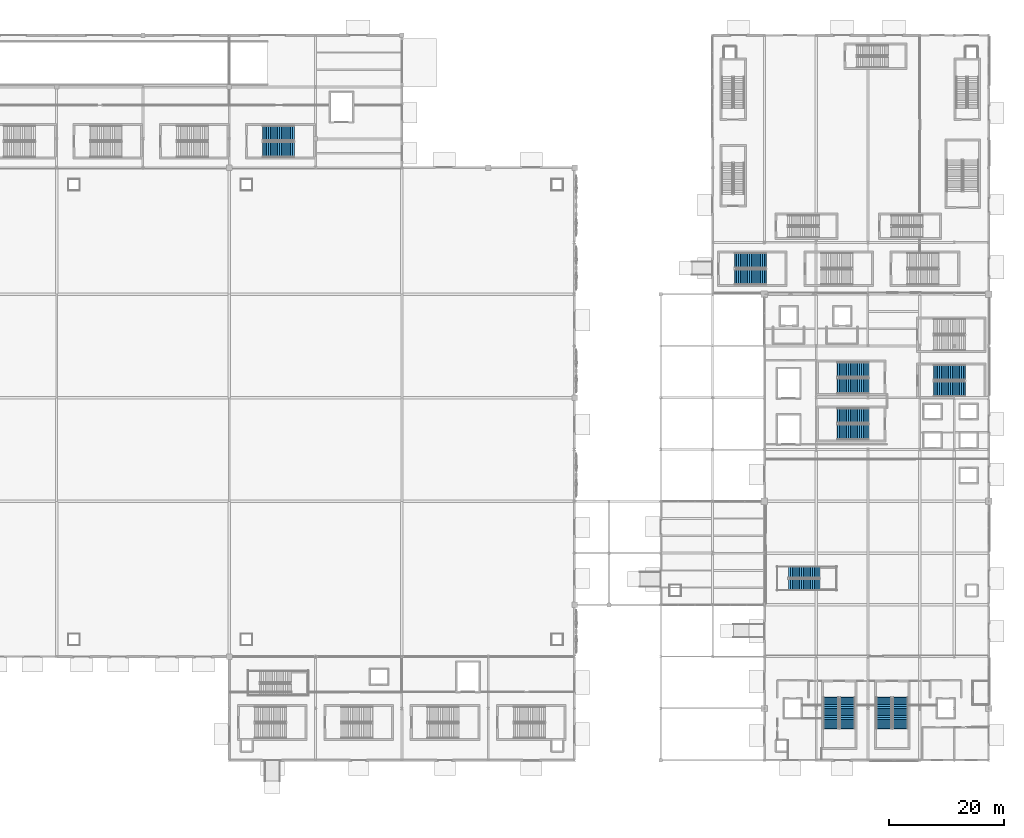
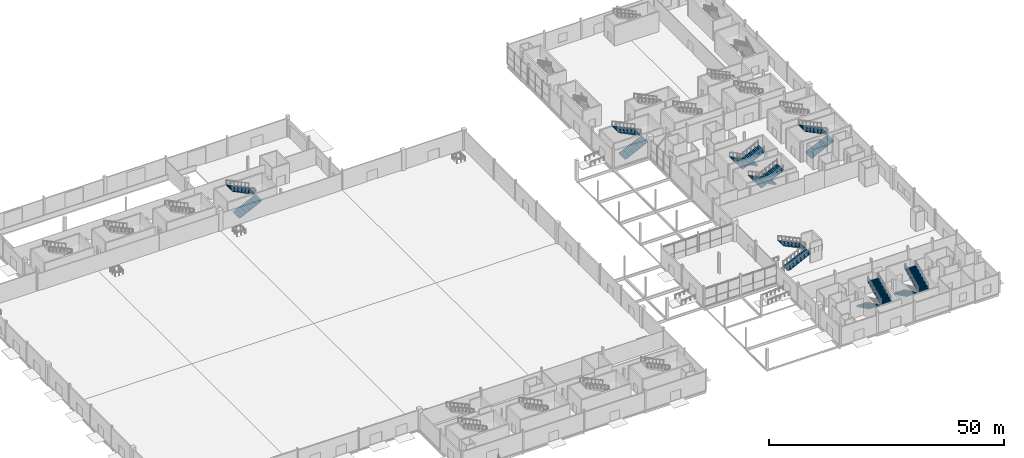
# One storey, part 66 of 94: 16 stair flights, 8 elements without a shape of their own.
"""IFC4 building model written with IfcOpenShell, lengths in metres."""

from ifc_helpers import new_model, si_unit, direction, frame, origin, place, context, subcontext, project, spatial, polyline, outline, extrude, material, type_object, element, aggregate, save


model = new_model("IFC4")

# Units and contexts
model_context = context("Model", 3, precision=1e-05, world=origin(), true_north=direction((0.0, 1.0)))
body_context = subcontext(model_context, "Body", "Model", "MODEL_VIEW")
ifc_project = project(units=[si_unit("LENGTHUNIT", "METRE"), si_unit("AREAUNIT", "SQUARE_METRE"), si_unit("VOLUMEUNIT", "CUBIC_METRE"), si_unit("PLANEANGLEUNIT", "RADIAN"), si_unit("MASSUNIT", "GRAM", prefix="KILO")], contexts=[model_context])

# Site, building, storey
site_placement = place(None, origin())
site = spatial("IfcSite", under=ifc_project, at=site_placement, CompositionType="ELEMENT")
building_placement = place(site_placement, origin())
building = spatial("IfcBuilding", under=site, at=building_placement, Name="Qamarlyn Nura Convention Centre", CompositionType="ELEMENT")
storey_placement = place(building_placement, origin())
storey = spatial("IfcBuildingStorey", under=building, at=storey_placement, Name="L00", CompositionType="ELEMENT", Elevation=0.0)

# Stair, stair flights
ifc_material = material(Name="Concrete C40/50", Category="concrete")
stair_type_1 = type_object("IfcStairType", Name="STAIR-EXIT-54", PredefinedType="HALF_TURN_STAIR", material=ifc_material)
stair_1_placement = place(storey_placement, origin())
stair_1 = element("IfcStair", 1, at=stair_1_placement, inside=storey, type_object=stair_type_1, Name="L00 Enclosed exit stair ST-04", PredefinedType="HALF_TURN_STAIR")
stair_flight_type_1 = type_object("IfcStairFlightType", Name="FLIGHT-EXIT-54", PredefinedType="STRAIGHT", material=ifc_material)
stair_flight_1_placement = place(storey_placement, frame((65.860107421875, 106.1298828125, 0.0), z_axis=(0.0, 0.0, 1.0), x_axis=(1.0, 0.0, 0.0)))
stair_flight_1 = element("IfcStairFlight", 2, at=stair_flight_1_placement, type_object=stair_flight_type_1, Name="ST-04 flight 1", NumberOfRisers=18, NumberOfTreads=17, PredefinedType="STRAIGHT", RiserHeight=0.15, TreadLength=0.32, context=body_context, shape_type="SweptSolid", body=[
    extrude(outline(polyline([(-0.054931640625, 0.0), (0.0, 0.0), (0.0, 0.14990234375), (0.320068359375, 0.14990234375), (0.320068359375, 0.300048828125), (0.639892578125, 0.300048828125), (0.639892578125, 0.449951171875), (0.9599609375, 0.449951171875), (0.9599609375, 0.60009765625), (1.280029296875, 0.60009765625), (1.280029296875, 0.75), (1.60009765625, 0.75), (1.60009765625, 0.89990234375), (1.919921875, 0.89990234375), (1.919921875, 1.050048828125), (2.239990234375, 1.050048828125), (2.239990234375, 1.199951171875), (2.56005859375, 1.199951171875), (2.56005859375, 1.35009765625), (2.8798828125, 1.35009765625), (2.8798828125, 1.5), (3.199951171875, 1.5), (3.199951171875, 1.64990234375), (3.52001953125, 1.64990234375), (3.52001953125, 1.800048828125), (3.840087890625, 1.800048828125), (3.840087890625, 1.949951171875), (4.159912109375, 1.949951171875), (4.159912109375, 2.10009765625), (4.47998046875, 2.10009765625), (4.47998046875, 2.25), (4.800048828125, 2.25), (4.800048828125, 2.39990234375), (5.1201171875, 2.39990234375), (5.1201171875, 2.550048828125), (5.43994140625, 2.550048828125), (5.43994140625, 2.699951171875), (5.494873046875, 2.699951171875), (5.494873046875, 2.56005859375), (5.43994140625, 2.384521484375), (0.353271484375, -0.139892578125), (-0.054931640625, -0.139892578125), (-0.054931640625, 0.0)])), frame((0.0, 1.330078125, 0.0), z_axis=(0.0, -1.0, 0.0), x_axis=(1.0, 0.0, 0.0)), (0.0, 0.0, 1.0), 2.659912109375),
])
stair_flight_2_placement = place(storey_placement, frame((71.300048828125, 108.969970703125, 2.699951171875), z_axis=(0.0, 0.0, 1.0), x_axis=(-1.0, 0.0, 0.0)))
stair_flight_2 = element("IfcStairFlight", 3, at=stair_flight_2_placement, type_object=stair_flight_type_1, Name="ST-04 flight 2", NumberOfRisers=18, NumberOfTreads=17, PredefinedType="STRAIGHT", RiserHeight=0.15, TreadLength=0.32, context=body_context, shape_type="SweptSolid", body=[
    extrude(outline(polyline([(-0.054931640625, 0.0), (0.0, 0.0), (0.0, 0.14990234375), (0.320068359375, 0.14990234375), (0.320068359375, 0.300048828125), (0.639892578125, 0.300048828125), (0.639892578125, 0.449951171875), (0.9599609375, 0.449951171875), (0.9599609375, 0.60009765625), (1.280029296875, 0.60009765625), (1.280029296875, 0.75), (1.60009765625, 0.75), (1.60009765625, 0.89990234375), (1.919921875, 0.89990234375), (1.919921875, 1.050048828125), (2.239990234375, 1.050048828125), (2.239990234375, 1.199951171875), (2.56005859375, 1.199951171875), (2.56005859375, 1.35009765625), (2.8798828125, 1.35009765625), (2.8798828125, 1.5), (3.199951171875, 1.5), (3.199951171875, 1.64990234375), (3.52001953125, 1.64990234375), (3.52001953125, 1.800048828125), (3.840087890625, 1.800048828125), (3.840087890625, 1.949951171875), (4.159912109375, 1.949951171875), (4.159912109375, 2.10009765625), (4.47998046875, 2.10009765625), (4.47998046875, 2.25), (4.800048828125, 2.25), (4.800048828125, 2.39990234375), (5.1201171875, 2.39990234375), (5.1201171875, 2.550048828125), (5.43994140625, 2.550048828125), (5.43994140625, 2.699951171875), (5.494873046875, 2.699951171875), (5.494873046875, 2.56005859375), (5.43994140625, 2.384521484375), (0.353271484375, -0.139892578125), (-0.054931640625, -0.139892578125), (-0.054931640625, 0.0)])), frame((0.0, 1.330078125, 0.0), z_axis=(0.0, -1.0, 0.0), x_axis=(1.0, 0.0, 0.0)), (0.0, 0.0, 1.0), 2.659912109375),
])
aggregate(stair_1, [stair_flight_1, stair_flight_2])

stair_2_placement = place(storey_placement, origin())
stair_2 = element("IfcStair", 4, at=stair_2_placement, inside=storey, type_object=stair_type_1, Name="L00 Enclosed exit stair ST-09", PredefinedType="HALF_TURN_STAIR")
stair_flight_3_placement = place(storey_placement, frame((164.580078125, 10.93994140625, 0.0), z_axis=(0.0, 0.0, 1.0), x_axis=(0.0, -1.0, 0.0)))
stair_flight_3 = element("IfcStairFlight", 5, at=stair_flight_3_placement, type_object=stair_flight_type_1, Name="ST-09 flight 1", NumberOfRisers=18, NumberOfTreads=17, PredefinedType="STRAIGHT", RiserHeight=0.15, TreadLength=0.32, context=body_context, shape_type="SweptSolid", body=[
    extrude(outline(polyline([(-0.054931640625, 0.0), (0.0, 0.0), (0.0, 0.14990234375), (0.320068359375, 0.14990234375), (0.320068359375, 0.300048828125), (0.639892578125, 0.300048828125), (0.639892578125, 0.449951171875), (0.9599609375, 0.449951171875), (0.9599609375, 0.60009765625), (1.280029296875, 0.60009765625), (1.280029296875, 0.75), (1.60009765625, 0.75), (1.60009765625, 0.89990234375), (1.919921875, 0.89990234375), (1.919921875, 1.050048828125), (2.239990234375, 1.050048828125), (2.239990234375, 1.199951171875), (2.56005859375, 1.199951171875), (2.56005859375, 1.35009765625), (2.8798828125, 1.35009765625), (2.8798828125, 1.5), (3.199951171875, 1.5), (3.199951171875, 1.64990234375), (3.52001953125, 1.64990234375), (3.52001953125, 1.800048828125), (3.840087890625, 1.800048828125), (3.840087890625, 1.949951171875), (4.159912109375, 1.949951171875), (4.159912109375, 2.10009765625), (4.47998046875, 2.10009765625), (4.47998046875, 2.25), (4.800048828125, 2.25), (4.800048828125, 2.39990234375), (5.1201171875, 2.39990234375), (5.1201171875, 2.550048828125), (5.43994140625, 2.550048828125), (5.43994140625, 2.699951171875), (5.494873046875, 2.699951171875), (5.494873046875, 2.56005859375), (5.43994140625, 2.384521484375), (0.353271484375, -0.139892578125), (-0.054931640625, -0.139892578125), (-0.054931640625, 0.0)])), frame((0.0, 1.330078125, 0.0), z_axis=(0.0, -1.0, 0.0), x_axis=(1.0, 0.0, 0.0)), (0.0, 0.0, 1.0), 2.659912109375),
])
stair_flight_4_placement = place(storey_placement, frame((167.419921875, 5.5, 2.699951171875), z_axis=(0.0, 0.0, 1.0), x_axis=(0.0, 1.0, 0.0)))
stair_flight_4 = element("IfcStairFlight", 6, at=stair_flight_4_placement, type_object=stair_flight_type_1, Name="ST-09 flight 2", NumberOfRisers=18, NumberOfTreads=17, PredefinedType="STRAIGHT", RiserHeight=0.15, TreadLength=0.32, context=body_context, shape_type="SweptSolid", body=[
    extrude(outline(polyline([(-0.054931640625, 0.0), (0.0, 0.0), (0.0, 0.14990234375), (0.320068359375, 0.14990234375), (0.320068359375, 0.300048828125), (0.639892578125, 0.300048828125), (0.639892578125, 0.449951171875), (0.9599609375, 0.449951171875), (0.9599609375, 0.60009765625), (1.280029296875, 0.60009765625), (1.280029296875, 0.75), (1.60009765625, 0.75), (1.60009765625, 0.89990234375), (1.919921875, 0.89990234375), (1.919921875, 1.050048828125), (2.239990234375, 1.050048828125), (2.239990234375, 1.199951171875), (2.56005859375, 1.199951171875), (2.56005859375, 1.35009765625), (2.8798828125, 1.35009765625), (2.8798828125, 1.5), (3.199951171875, 1.5), (3.199951171875, 1.64990234375), (3.52001953125, 1.64990234375), (3.52001953125, 1.800048828125), (3.840087890625, 1.800048828125), (3.840087890625, 1.949951171875), (4.159912109375, 1.949951171875), (4.159912109375, 2.10009765625), (4.47998046875, 2.10009765625), (4.47998046875, 2.25), (4.800048828125, 2.25), (4.800048828125, 2.39990234375), (5.1201171875, 2.39990234375), (5.1201171875, 2.550048828125), (5.43994140625, 2.550048828125), (5.43994140625, 2.699951171875), (5.494873046875, 2.699951171875), (5.494873046875, 2.56005859375), (5.43994140625, 2.384521484375), (0.353271484375, -0.139892578125), (-0.054931640625, -0.139892578125), (-0.054931640625, 0.0)])), frame((0.0, 1.330078125, 0.0), z_axis=(0.0, -1.0, 0.0), x_axis=(1.0, 0.0, 0.0)), (0.0, 0.0, 1.0), 2.659912109375),
])
aggregate(stair_2, [stair_flight_3, stair_flight_4])

stair_3_placement = place(storey_placement, origin())
stair_3 = element("IfcStair", 7, at=stair_3_placement, inside=storey, type_object=stair_type_1, Name="L00 Enclosed exit stair ST-10", PredefinedType="HALF_TURN_STAIR")
stair_flight_5_placement = place(storey_placement, frame((173.780029296875, 10.93994140625, 0.0), z_axis=(0.0, 0.0, 1.0), x_axis=(0.0, -1.0, 0.0)))
stair_flight_5 = element("IfcStairFlight", 8, at=stair_flight_5_placement, type_object=stair_flight_type_1, Name="ST-10 flight 1", NumberOfRisers=18, NumberOfTreads=17, PredefinedType="STRAIGHT", RiserHeight=0.15, TreadLength=0.32, context=body_context, shape_type="SweptSolid", body=[
    extrude(outline(polyline([(-0.054931640625, 0.0), (0.0, 0.0), (0.0, 0.14990234375), (0.320068359375, 0.14990234375), (0.320068359375, 0.300048828125), (0.639892578125, 0.300048828125), (0.639892578125, 0.449951171875), (0.9599609375, 0.449951171875), (0.9599609375, 0.60009765625), (1.280029296875, 0.60009765625), (1.280029296875, 0.75), (1.60009765625, 0.75), (1.60009765625, 0.89990234375), (1.919921875, 0.89990234375), (1.919921875, 1.050048828125), (2.239990234375, 1.050048828125), (2.239990234375, 1.199951171875), (2.56005859375, 1.199951171875), (2.56005859375, 1.35009765625), (2.8798828125, 1.35009765625), (2.8798828125, 1.5), (3.199951171875, 1.5), (3.199951171875, 1.64990234375), (3.52001953125, 1.64990234375), (3.52001953125, 1.800048828125), (3.840087890625, 1.800048828125), (3.840087890625, 1.949951171875), (4.159912109375, 1.949951171875), (4.159912109375, 2.10009765625), (4.47998046875, 2.10009765625), (4.47998046875, 2.25), (4.800048828125, 2.25), (4.800048828125, 2.39990234375), (5.1201171875, 2.39990234375), (5.1201171875, 2.550048828125), (5.43994140625, 2.550048828125), (5.43994140625, 2.699951171875), (5.494873046875, 2.699951171875), (5.494873046875, 2.56005859375), (5.43994140625, 2.384521484375), (0.353271484375, -0.139892578125), (-0.054931640625, -0.139892578125), (-0.054931640625, 0.0)])), frame((0.0, 1.330078125, 0.0), z_axis=(0.0, -1.0, 0.0), x_axis=(1.0, 0.0, 0.0)), (0.0, 0.0, 1.0), 2.659912109375),
])
stair_flight_6_placement = place(storey_placement, frame((176.6201171875, 5.5, 2.699951171875), z_axis=(0.0, 0.0, 1.0), x_axis=(0.0, 1.0, 0.0)))
stair_flight_6 = element("IfcStairFlight", 9, at=stair_flight_6_placement, type_object=stair_flight_type_1, Name="ST-10 flight 2", NumberOfRisers=18, NumberOfTreads=17, PredefinedType="STRAIGHT", RiserHeight=0.15, TreadLength=0.32, context=body_context, shape_type="SweptSolid", body=[
    extrude(outline(polyline([(-0.054931640625, 0.0), (0.0, 0.0), (0.0, 0.14990234375), (0.320068359375, 0.14990234375), (0.320068359375, 0.300048828125), (0.639892578125, 0.300048828125), (0.639892578125, 0.449951171875), (0.9599609375, 0.449951171875), (0.9599609375, 0.60009765625), (1.280029296875, 0.60009765625), (1.280029296875, 0.75), (1.60009765625, 0.75), (1.60009765625, 0.89990234375), (1.919921875, 0.89990234375), (1.919921875, 1.050048828125), (2.239990234375, 1.050048828125), (2.239990234375, 1.199951171875), (2.56005859375, 1.199951171875), (2.56005859375, 1.35009765625), (2.8798828125, 1.35009765625), (2.8798828125, 1.5), (3.199951171875, 1.5), (3.199951171875, 1.64990234375), (3.52001953125, 1.64990234375), (3.52001953125, 1.800048828125), (3.840087890625, 1.800048828125), (3.840087890625, 1.949951171875), (4.159912109375, 1.949951171875), (4.159912109375, 2.10009765625), (4.47998046875, 2.10009765625), (4.47998046875, 2.25), (4.800048828125, 2.25), (4.800048828125, 2.39990234375), (5.1201171875, 2.39990234375), (5.1201171875, 2.550048828125), (5.43994140625, 2.550048828125), (5.43994140625, 2.699951171875), (5.494873046875, 2.699951171875), (5.494873046875, 2.56005859375), (5.43994140625, 2.384521484375), (0.353271484375, -0.139892578125), (-0.054931640625, -0.139892578125), (-0.054931640625, 0.0)])), frame((0.0, 1.330078125, 0.0), z_axis=(0.0, -1.0, 0.0), x_axis=(1.0, 0.0, 0.0)), (0.0, 0.0, 1.0), 2.659912109375),
])
aggregate(stair_3, [stair_flight_5, stair_flight_6])

stair_4_placement = place(storey_placement, origin())
stair_4 = element("IfcStair", 10, at=stair_4_placement, inside=storey, type_object=stair_type_1, Name="L00 Enclosed exit stair ST-11", PredefinedType="HALF_TURN_STAIR")
stair_flight_7_placement = place(storey_placement, frame((171.139892578125, 59.8701171875, 0.0), z_axis=(0.0, 0.0, 1.0), x_axis=(-1.0, 0.0, 0.0)))
stair_flight_7 = element("IfcStairFlight", 11, at=stair_flight_7_placement, type_object=stair_flight_type_1, Name="ST-11 flight 1", NumberOfRisers=18, NumberOfTreads=17, PredefinedType="STRAIGHT", RiserHeight=0.15, TreadLength=0.32, context=body_context, shape_type="SweptSolid", body=[
    extrude(outline(polyline([(-0.054931640625, 0.0), (0.0, 0.0), (0.0, 0.14990234375), (0.320068359375, 0.14990234375), (0.320068359375, 0.300048828125), (0.639892578125, 0.300048828125), (0.639892578125, 0.449951171875), (0.9599609375, 0.449951171875), (0.9599609375, 0.60009765625), (1.280029296875, 0.60009765625), (1.280029296875, 0.75), (1.60009765625, 0.75), (1.60009765625, 0.89990234375), (1.919921875, 0.89990234375), (1.919921875, 1.050048828125), (2.239990234375, 1.050048828125), (2.239990234375, 1.199951171875), (2.56005859375, 1.199951171875), (2.56005859375, 1.35009765625), (2.8798828125, 1.35009765625), (2.8798828125, 1.5), (3.199951171875, 1.5), (3.199951171875, 1.64990234375), (3.52001953125, 1.64990234375), (3.52001953125, 1.800048828125), (3.840087890625, 1.800048828125), (3.840087890625, 1.949951171875), (4.159912109375, 1.949951171875), (4.159912109375, 2.10009765625), (4.47998046875, 2.10009765625), (4.47998046875, 2.25), (4.800048828125, 2.25), (4.800048828125, 2.39990234375), (5.1201171875, 2.39990234375), (5.1201171875, 2.550048828125), (5.43994140625, 2.550048828125), (5.43994140625, 2.699951171875), (5.494873046875, 2.699951171875), (5.494873046875, 2.56005859375), (5.43994140625, 2.384521484375), (0.353271484375, -0.139892578125), (-0.054931640625, -0.139892578125), (-0.054931640625, 0.0)])), frame((0.0, 1.330078125, 0.0), z_axis=(0.0, -1.0, 0.0), x_axis=(1.0, 0.0, 0.0)), (0.0, 0.0, 1.0), 2.659912109375),
])
stair_flight_8_placement = place(storey_placement, frame((165.699951171875, 57.030029296875, 2.699951171875), z_axis=(0.0, 0.0, 1.0), x_axis=(1.0, 0.0, 0.0)))
stair_flight_8 = element("IfcStairFlight", 12, at=stair_flight_8_placement, type_object=stair_flight_type_1, Name="ST-11 flight 2", NumberOfRisers=18, NumberOfTreads=17, PredefinedType="STRAIGHT", RiserHeight=0.15, TreadLength=0.32, context=body_context, shape_type="SweptSolid", body=[
    extrude(outline(polyline([(-0.054931640625, 0.0), (0.0, 0.0), (0.0, 0.14990234375), (0.320068359375, 0.14990234375), (0.320068359375, 0.300048828125), (0.639892578125, 0.300048828125), (0.639892578125, 0.449951171875), (0.9599609375, 0.449951171875), (0.9599609375, 0.60009765625), (1.280029296875, 0.60009765625), (1.280029296875, 0.75), (1.60009765625, 0.75), (1.60009765625, 0.89990234375), (1.919921875, 0.89990234375), (1.919921875, 1.050048828125), (2.239990234375, 1.050048828125), (2.239990234375, 1.199951171875), (2.56005859375, 1.199951171875), (2.56005859375, 1.35009765625), (2.8798828125, 1.35009765625), (2.8798828125, 1.5), (3.199951171875, 1.5), (3.199951171875, 1.64990234375), (3.52001953125, 1.64990234375), (3.52001953125, 1.800048828125), (3.840087890625, 1.800048828125), (3.840087890625, 1.949951171875), (4.159912109375, 1.949951171875), (4.159912109375, 2.10009765625), (4.47998046875, 2.10009765625), (4.47998046875, 2.25), (4.800048828125, 2.25), (4.800048828125, 2.39990234375), (5.1201171875, 2.39990234375), (5.1201171875, 2.550048828125), (5.43994140625, 2.550048828125), (5.43994140625, 2.699951171875), (5.494873046875, 2.699951171875), (5.494873046875, 2.56005859375), (5.43994140625, 2.384521484375), (0.353271484375, -0.139892578125), (-0.054931640625, -0.139892578125), (-0.054931640625, 0.0)])), frame((0.0, 1.330078125, 0.0), z_axis=(0.0, -1.0, 0.0), x_axis=(1.0, 0.0, 0.0)), (0.0, 0.0, 1.0), 2.659912109375),
])
aggregate(stair_4, [stair_flight_7, stair_flight_8])

stair_5_placement = place(storey_placement, origin())
stair_5 = element("IfcStair", 13, at=stair_5_placement, inside=storey, type_object=stair_type_1, Name="L00 Enclosed exit stair ST-12", PredefinedType="HALF_TURN_STAIR")
stair_flight_9_placement = place(storey_placement, frame((171.139892578125, 67.8701171875, 0.0), z_axis=(0.0, 0.0, 1.0), x_axis=(-1.0, 0.0, 0.0)))
stair_flight_9 = element("IfcStairFlight", 14, at=stair_flight_9_placement, type_object=stair_flight_type_1, Name="ST-12 flight 1", NumberOfRisers=18, NumberOfTreads=17, PredefinedType="STRAIGHT", RiserHeight=0.15, TreadLength=0.32, context=body_context, shape_type="SweptSolid", body=[
    extrude(outline(polyline([(-0.054931640625, 0.0), (0.0, 0.0), (0.0, 0.14990234375), (0.320068359375, 0.14990234375), (0.320068359375, 0.300048828125), (0.639892578125, 0.300048828125), (0.639892578125, 0.449951171875), (0.9599609375, 0.449951171875), (0.9599609375, 0.60009765625), (1.280029296875, 0.60009765625), (1.280029296875, 0.75), (1.60009765625, 0.75), (1.60009765625, 0.89990234375), (1.919921875, 0.89990234375), (1.919921875, 1.050048828125), (2.239990234375, 1.050048828125), (2.239990234375, 1.199951171875), (2.56005859375, 1.199951171875), (2.56005859375, 1.35009765625), (2.8798828125, 1.35009765625), (2.8798828125, 1.5), (3.199951171875, 1.5), (3.199951171875, 1.64990234375), (3.52001953125, 1.64990234375), (3.52001953125, 1.800048828125), (3.840087890625, 1.800048828125), (3.840087890625, 1.949951171875), (4.159912109375, 1.949951171875), (4.159912109375, 2.10009765625), (4.47998046875, 2.10009765625), (4.47998046875, 2.25), (4.800048828125, 2.25), (4.800048828125, 2.39990234375), (5.1201171875, 2.39990234375), (5.1201171875, 2.550048828125), (5.43994140625, 2.550048828125), (5.43994140625, 2.699951171875), (5.494873046875, 2.699951171875), (5.494873046875, 2.56005859375), (5.43994140625, 2.384521484375), (0.353271484375, -0.139892578125), (-0.054931640625, -0.139892578125), (-0.054931640625, 0.0)])), frame((0.0, 1.330078125, 0.0), z_axis=(0.0, -1.0, 0.0), x_axis=(1.0, 0.0, 0.0)), (0.0, 0.0, 1.0), 2.659912109375),
])
stair_flight_10_placement = place(storey_placement, frame((165.699951171875, 65.030029296875, 2.699951171875), z_axis=(0.0, 0.0, 1.0), x_axis=(1.0, 0.0, 0.0)))
stair_flight_10 = element("IfcStairFlight", 15, at=stair_flight_10_placement, type_object=stair_flight_type_1, Name="ST-12 flight 2", NumberOfRisers=18, NumberOfTreads=17, PredefinedType="STRAIGHT", RiserHeight=0.15, TreadLength=0.32, context=body_context, shape_type="SweptSolid", body=[
    extrude(outline(polyline([(-0.054931640625, 0.0), (0.0, 0.0), (0.0, 0.14990234375), (0.320068359375, 0.14990234375), (0.320068359375, 0.300048828125), (0.639892578125, 0.300048828125), (0.639892578125, 0.449951171875), (0.9599609375, 0.449951171875), (0.9599609375, 0.60009765625), (1.280029296875, 0.60009765625), (1.280029296875, 0.75), (1.60009765625, 0.75), (1.60009765625, 0.89990234375), (1.919921875, 0.89990234375), (1.919921875, 1.050048828125), (2.239990234375, 1.050048828125), (2.239990234375, 1.199951171875), (2.56005859375, 1.199951171875), (2.56005859375, 1.35009765625), (2.8798828125, 1.35009765625), (2.8798828125, 1.5), (3.199951171875, 1.5), (3.199951171875, 1.64990234375), (3.52001953125, 1.64990234375), (3.52001953125, 1.800048828125), (3.840087890625, 1.800048828125), (3.840087890625, 1.949951171875), (4.159912109375, 1.949951171875), (4.159912109375, 2.10009765625), (4.47998046875, 2.10009765625), (4.47998046875, 2.25), (4.800048828125, 2.25), (4.800048828125, 2.39990234375), (5.1201171875, 2.39990234375), (5.1201171875, 2.550048828125), (5.43994140625, 2.550048828125), (5.43994140625, 2.699951171875), (5.494873046875, 2.699951171875), (5.494873046875, 2.56005859375), (5.43994140625, 2.384521484375), (0.353271484375, -0.139892578125), (-0.054931640625, -0.139892578125), (-0.054931640625, 0.0)])), frame((0.0, 1.330078125, 0.0), z_axis=(0.0, -1.0, 0.0), x_axis=(1.0, 0.0, 0.0)), (0.0, 0.0, 1.0), 2.659912109375),
])
aggregate(stair_5, [stair_flight_9, stair_flight_10])

stair_6_placement = place(storey_placement, origin())
stair_6 = element("IfcStair", 16, at=stair_6_placement, inside=storey, type_object=stair_type_1, Name="L00 Enclosed exit stair ST-13", PredefinedType="HALF_TURN_STAIR")
stair_flight_11_placement = place(storey_placement, frame((182.4599609375, 64.530029296875, 0.0), z_axis=(0.0, 0.0, 1.0), x_axis=(1.0, 0.0, 0.0)))
stair_flight_11 = element("IfcStairFlight", 17, at=stair_flight_11_placement, type_object=stair_flight_type_1, Name="ST-13 flight 1", NumberOfRisers=18, NumberOfTreads=17, PredefinedType="STRAIGHT", RiserHeight=0.15, TreadLength=0.32, context=body_context, shape_type="SweptSolid", body=[
    extrude(outline(polyline([(-0.054931640625, 0.0), (0.0, 0.0), (0.0, 0.14990234375), (0.320068359375, 0.14990234375), (0.320068359375, 0.300048828125), (0.639892578125, 0.300048828125), (0.639892578125, 0.449951171875), (0.9599609375, 0.449951171875), (0.9599609375, 0.60009765625), (1.280029296875, 0.60009765625), (1.280029296875, 0.75), (1.60009765625, 0.75), (1.60009765625, 0.89990234375), (1.919921875, 0.89990234375), (1.919921875, 1.050048828125), (2.239990234375, 1.050048828125), (2.239990234375, 1.199951171875), (2.56005859375, 1.199951171875), (2.56005859375, 1.35009765625), (2.8798828125, 1.35009765625), (2.8798828125, 1.5), (3.199951171875, 1.5), (3.199951171875, 1.64990234375), (3.52001953125, 1.64990234375), (3.52001953125, 1.800048828125), (3.840087890625, 1.800048828125), (3.840087890625, 1.949951171875), (4.159912109375, 1.949951171875), (4.159912109375, 2.10009765625), (4.47998046875, 2.10009765625), (4.47998046875, 2.25), (4.800048828125, 2.25), (4.800048828125, 2.39990234375), (5.1201171875, 2.39990234375), (5.1201171875, 2.550048828125), (5.43994140625, 2.550048828125), (5.43994140625, 2.699951171875), (5.494873046875, 2.699951171875), (5.494873046875, 2.56005859375), (5.43994140625, 2.384521484375), (0.353271484375, -0.139892578125), (-0.054931640625, -0.139892578125), (-0.054931640625, 0.0)])), frame((0.0, 1.330078125, 0.0), z_axis=(0.0, -1.0, 0.0), x_axis=(1.0, 0.0, 0.0)), (0.0, 0.0, 1.0), 2.659912109375),
])
stair_flight_12_placement = place(storey_placement, frame((187.89990234375, 67.3701171875, 2.699951171875), z_axis=(0.0, 0.0, 1.0), x_axis=(-1.0, 0.0, 0.0)))
stair_flight_12 = element("IfcStairFlight", 18, at=stair_flight_12_placement, type_object=stair_flight_type_1, Name="ST-13 flight 2", NumberOfRisers=18, NumberOfTreads=17, PredefinedType="STRAIGHT", RiserHeight=0.15, TreadLength=0.32, context=body_context, shape_type="SweptSolid", body=[
    extrude(outline(polyline([(-0.054931640625, 0.0), (0.0, 0.0), (0.0, 0.14990234375), (0.320068359375, 0.14990234375), (0.320068359375, 0.300048828125), (0.639892578125, 0.300048828125), (0.639892578125, 0.449951171875), (0.9599609375, 0.449951171875), (0.9599609375, 0.60009765625), (1.280029296875, 0.60009765625), (1.280029296875, 0.75), (1.60009765625, 0.75), (1.60009765625, 0.89990234375), (1.919921875, 0.89990234375), (1.919921875, 1.050048828125), (2.239990234375, 1.050048828125), (2.239990234375, 1.199951171875), (2.56005859375, 1.199951171875), (2.56005859375, 1.35009765625), (2.8798828125, 1.35009765625), (2.8798828125, 1.5), (3.199951171875, 1.5), (3.199951171875, 1.64990234375), (3.52001953125, 1.64990234375), (3.52001953125, 1.800048828125), (3.840087890625, 1.800048828125), (3.840087890625, 1.949951171875), (4.159912109375, 1.949951171875), (4.159912109375, 2.10009765625), (4.47998046875, 2.10009765625), (4.47998046875, 2.25), (4.800048828125, 2.25), (4.800048828125, 2.39990234375), (5.1201171875, 2.39990234375), (5.1201171875, 2.550048828125), (5.43994140625, 2.550048828125), (5.43994140625, 2.699951171875), (5.494873046875, 2.699951171875), (5.494873046875, 2.56005859375), (5.43994140625, 2.384521484375), (0.353271484375, -0.139892578125), (-0.054931640625, -0.139892578125), (-0.054931640625, 0.0)])), frame((0.0, 1.330078125, 0.0), z_axis=(0.0, -1.0, 0.0), x_axis=(1.0, 0.0, 0.0)), (0.0, 0.0, 1.0), 2.659912109375),
])
aggregate(stair_6, [stair_flight_11, stair_flight_12])

stair_7_placement = place(storey_placement, origin())
stair_7 = element("IfcStair", 19, at=stair_7_placement, inside=storey, type_object=stair_type_1, Name="L00 Enclosed exit stair ST-15", PredefinedType="HALF_TURN_STAIR")
stair_flight_13_placement = place(storey_placement, frame((147.860107421875, 83.97998046875, 0.0), z_axis=(0.0, 0.0, 1.0), x_axis=(1.0, 0.0, 0.0)))
stair_flight_13 = element("IfcStairFlight", 20, at=stair_flight_13_placement, type_object=stair_flight_type_1, Name="ST-15 flight 1", NumberOfRisers=18, NumberOfTreads=17, PredefinedType="STRAIGHT", RiserHeight=0.15, TreadLength=0.32, context=body_context, shape_type="SweptSolid", body=[
    extrude(outline(polyline([(-0.054931640625, 0.0), (0.0, 0.0), (0.0, 0.14990234375), (0.320068359375, 0.14990234375), (0.320068359375, 0.300048828125), (0.639892578125, 0.300048828125), (0.639892578125, 0.449951171875), (0.9599609375, 0.449951171875), (0.9599609375, 0.60009765625), (1.280029296875, 0.60009765625), (1.280029296875, 0.75), (1.60009765625, 0.75), (1.60009765625, 0.89990234375), (1.919921875, 0.89990234375), (1.919921875, 1.050048828125), (2.239990234375, 1.050048828125), (2.239990234375, 1.199951171875), (2.56005859375, 1.199951171875), (2.56005859375, 1.35009765625), (2.8798828125, 1.35009765625), (2.8798828125, 1.5), (3.199951171875, 1.5), (3.199951171875, 1.64990234375), (3.52001953125, 1.64990234375), (3.52001953125, 1.800048828125), (3.840087890625, 1.800048828125), (3.840087890625, 1.949951171875), (4.159912109375, 1.949951171875), (4.159912109375, 2.10009765625), (4.47998046875, 2.10009765625), (4.47998046875, 2.25), (4.800048828125, 2.25), (4.800048828125, 2.39990234375), (5.1201171875, 2.39990234375), (5.1201171875, 2.550048828125), (5.43994140625, 2.550048828125), (5.43994140625, 2.699951171875), (5.494873046875, 2.699951171875), (5.494873046875, 2.56005859375), (5.43994140625, 2.384521484375), (0.353271484375, -0.139892578125), (-0.054931640625, -0.139892578125), (-0.054931640625, 0.0)])), frame((0.0, 1.330078125, 0.0), z_axis=(0.0, -1.0, 0.0), x_axis=(1.0, 0.0, 0.0)), (0.0, 0.0, 1.0), 2.659912109375),
])
stair_flight_14_placement = place(storey_placement, frame((153.300048828125, 86.820068359375, 2.699951171875), z_axis=(0.0, 0.0, 1.0), x_axis=(-1.0, 0.0, 0.0)))
stair_flight_14 = element("IfcStairFlight", 21, at=stair_flight_14_placement, type_object=stair_flight_type_1, Name="ST-15 flight 2", NumberOfRisers=18, NumberOfTreads=17, PredefinedType="STRAIGHT", RiserHeight=0.15, TreadLength=0.32, context=body_context, shape_type="SweptSolid", body=[
    extrude(outline(polyline([(-0.054931640625, 0.0), (0.0, 0.0), (0.0, 0.14990234375), (0.320068359375, 0.14990234375), (0.320068359375, 0.300048828125), (0.639892578125, 0.300048828125), (0.639892578125, 0.449951171875), (0.9599609375, 0.449951171875), (0.9599609375, 0.60009765625), (1.280029296875, 0.60009765625), (1.280029296875, 0.75), (1.60009765625, 0.75), (1.60009765625, 0.89990234375), (1.919921875, 0.89990234375), (1.919921875, 1.050048828125), (2.239990234375, 1.050048828125), (2.239990234375, 1.199951171875), (2.56005859375, 1.199951171875), (2.56005859375, 1.35009765625), (2.8798828125, 1.35009765625), (2.8798828125, 1.5), (3.199951171875, 1.5), (3.199951171875, 1.64990234375), (3.52001953125, 1.64990234375), (3.52001953125, 1.800048828125), (3.840087890625, 1.800048828125), (3.840087890625, 1.949951171875), (4.159912109375, 1.949951171875), (4.159912109375, 2.10009765625), (4.47998046875, 2.10009765625), (4.47998046875, 2.25), (4.800048828125, 2.25), (4.800048828125, 2.39990234375), (5.1201171875, 2.39990234375), (5.1201171875, 2.550048828125), (5.43994140625, 2.550048828125), (5.43994140625, 2.699951171875), (5.494873046875, 2.699951171875), (5.494873046875, 2.56005859375), (5.43994140625, 2.384521484375), (0.353271484375, -0.139892578125), (-0.054931640625, -0.139892578125), (-0.054931640625, 0.0)])), frame((0.0, 1.330078125, 0.0), z_axis=(0.0, -1.0, 0.0), x_axis=(1.0, 0.0, 0.0)), (0.0, 0.0, 1.0), 2.659912109375),
])
aggregate(stair_7, [stair_flight_13, stair_flight_14])

stair_type_2 = type_object("IfcStairType", Name="STAIR-FOY2-54", PredefinedType="HALF_TURN_STAIR", material=ifc_material)
stair_8_placement = place(storey_placement, origin())
stair_8 = element("IfcStair", 22, at=stair_8_placement, inside=storey, type_object=stair_type_2, Name="L00 Foyer feature stair ST-20", PredefinedType="HALF_TURN_STAIR")
stair_flight_type_2 = type_object("IfcStairFlightType", Name="FLIGHT-FOY2-54", PredefinedType="STRAIGHT", material=ifc_material)
stair_flight_15_placement = place(storey_placement, frame((157.199951171875, 30.5, 0.0), z_axis=(0.0, 0.0, 1.0), x_axis=(1.0, 0.0, 0.0)))
stair_flight_15 = element("IfcStairFlight", 23, at=stair_flight_15_placement, type_object=stair_flight_type_2, Name="ST-20 flight 1", NumberOfRisers=18, NumberOfTreads=17, PredefinedType="STRAIGHT", RiserHeight=0.15, TreadLength=0.32, context=body_context, shape_type="SweptSolid", body=[
    extrude(outline(polyline([(-0.054931640625, 0.0), (0.0, 0.0), (0.0, 0.14990234375), (0.320068359375, 0.14990234375), (0.320068359375, 0.300048828125), (0.639892578125, 0.300048828125), (0.639892578125, 0.449951171875), (0.9599609375, 0.449951171875), (0.9599609375, 0.60009765625), (1.280029296875, 0.60009765625), (1.280029296875, 0.75), (1.60009765625, 0.75), (1.60009765625, 0.89990234375), (1.919921875, 0.89990234375), (1.919921875, 1.050048828125), (2.239990234375, 1.050048828125), (2.239990234375, 1.199951171875), (2.56005859375, 1.199951171875), (2.56005859375, 1.35009765625), (2.8798828125, 1.35009765625), (2.8798828125, 1.5), (3.199951171875, 1.5), (3.199951171875, 1.64990234375), (3.52001953125, 1.64990234375), (3.52001953125, 1.800048828125), (3.840087890625, 1.800048828125), (3.840087890625, 1.949951171875), (4.159912109375, 1.949951171875), (4.159912109375, 2.10009765625), (4.47998046875, 2.10009765625), (4.47998046875, 2.25), (4.800048828125, 2.25), (4.800048828125, 2.39990234375), (5.1201171875, 2.39990234375), (5.1201171875, 2.550048828125), (5.43994140625, 2.550048828125), (5.43994140625, 2.699951171875), (5.494873046875, 2.699951171875), (5.494873046875, 2.56005859375), (5.43994140625, 2.384521484375), (0.353271484375, -0.139892578125), (-0.054931640625, -0.139892578125), (-0.054931640625, 0.0)])), frame((0.0, 1.0, 0.0), z_axis=(0.0, -1.0, 0.0), x_axis=(1.0, 0.0, 0.0)), (0.0, 0.0, 1.0), 2.0),
])
stair_flight_16_placement = place(storey_placement, frame((162.639892578125, 32.679931640625, 2.699951171875), z_axis=(0.0, 0.0, 1.0), x_axis=(-1.0, 0.0, 0.0)))
stair_flight_16 = element("IfcStairFlight", 24, at=stair_flight_16_placement, type_object=stair_flight_type_2, Name="ST-20 flight 2", NumberOfRisers=18, NumberOfTreads=17, PredefinedType="STRAIGHT", RiserHeight=0.15, TreadLength=0.32, context=body_context, shape_type="SweptSolid", body=[
    extrude(outline(polyline([(-0.054931640625, 0.0), (0.0, 0.0), (0.0, 0.14990234375), (0.320068359375, 0.14990234375), (0.320068359375, 0.300048828125), (0.639892578125, 0.300048828125), (0.639892578125, 0.449951171875), (0.9599609375, 0.449951171875), (0.9599609375, 0.60009765625), (1.280029296875, 0.60009765625), (1.280029296875, 0.75), (1.60009765625, 0.75), (1.60009765625, 0.89990234375), (1.919921875, 0.89990234375), (1.919921875, 1.050048828125), (2.239990234375, 1.050048828125), (2.239990234375, 1.199951171875), (2.56005859375, 1.199951171875), (2.56005859375, 1.35009765625), (2.8798828125, 1.35009765625), (2.8798828125, 1.5), (3.199951171875, 1.5), (3.199951171875, 1.64990234375), (3.52001953125, 1.64990234375), (3.52001953125, 1.800048828125), (3.840087890625, 1.800048828125), (3.840087890625, 1.949951171875), (4.159912109375, 1.949951171875), (4.159912109375, 2.10009765625), (4.47998046875, 2.10009765625), (4.47998046875, 2.25), (4.800048828125, 2.25), (4.800048828125, 2.39990234375), (5.1201171875, 2.39990234375), (5.1201171875, 2.550048828125), (5.43994140625, 2.550048828125), (5.43994140625, 2.699951171875), (5.494873046875, 2.699951171875), (5.494873046875, 2.56005859375), (5.43994140625, 2.384521484375), (0.353271484375, -0.139892578125), (-0.054931640625, -0.139892578125), (-0.054931640625, 0.0)])), frame((0.0, 1.0, 0.0), z_axis=(0.0, -1.0, 0.0), x_axis=(1.0, 0.0, 0.0)), (0.0, 0.0, 1.0), 2.0),
])
aggregate(stair_8, [stair_flight_15, stair_flight_16])

save(model, "model.ifc")
